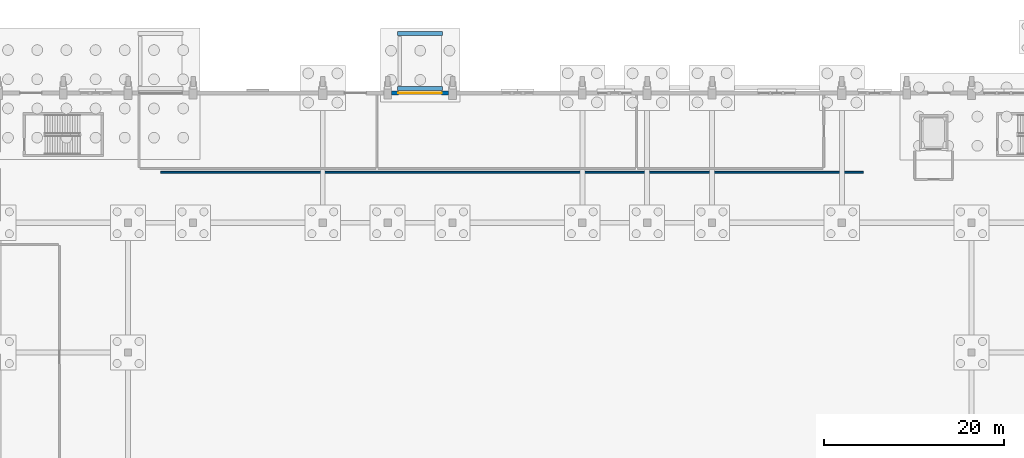
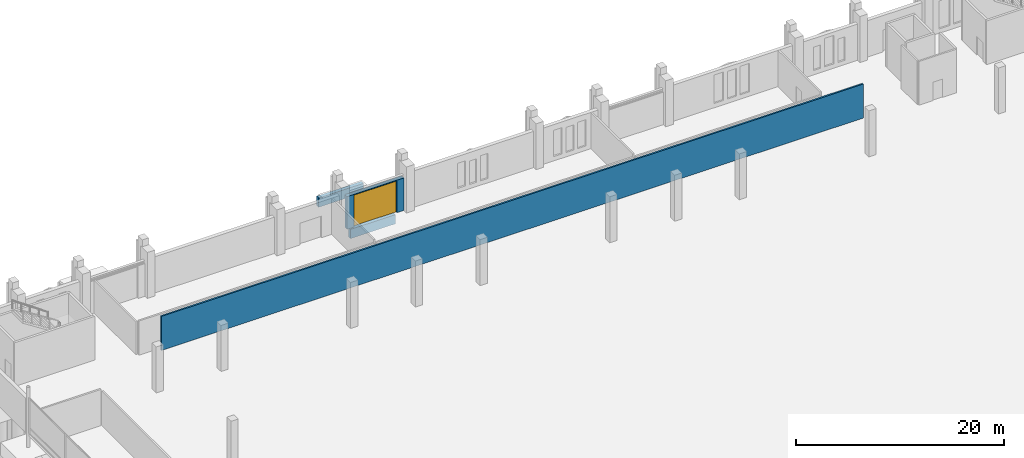
# One storey, part 150 of 192: 4 walls, 1 door, 1 opening.
"""IFC4 building model written with IfcOpenShell, lengths in metres."""

from ifc_helpers import new_model, si_unit, direction, frame, frame_2d, origin, place, context, subcontext, project, spatial, rectangle, extrude, material, layer, layer_set, type_object, element, fill, save


model = new_model("IFC4")

# Units and contexts
model_context = context("Model", 3, precision=1e-05, world=origin(), true_north=direction((0.0, 1.0)))
body_context = subcontext(model_context, "Body", "Model", "MODEL_VIEW")
ifc_project = project(units=[si_unit("LENGTHUNIT", "METRE"), si_unit("AREAUNIT", "SQUARE_METRE"), si_unit("VOLUMEUNIT", "CUBIC_METRE"), si_unit("PLANEANGLEUNIT", "RADIAN"), si_unit("MASSUNIT", "GRAM", prefix="KILO")], contexts=[model_context])

# Site, building, storey
site_placement = place(None, origin())
site = spatial("IfcSite", under=ifc_project, at=site_placement, CompositionType="ELEMENT")
building_placement = place(site_placement, origin())
building = spatial("IfcBuilding", under=site, at=building_placement, Name="Cendralis Lancet Convention Centre", CompositionType="ELEMENT")
storey_placement = place(building_placement, origin())
storey = spatial("IfcBuildingStorey", under=building, at=storey_placement, Name="L00", CompositionType="ELEMENT", Elevation=0.0)

# Wall, opening, door
ifc_material_1 = material(Name="Buff sandstone ashlar and Concrete G40 (C40/50)", Category="masonry")
ifc_layer_1 = layer(ifc_material_1, 0.419921875, Name="Buff sandstone ashlar and Concrete G40 (C40/50)")
ifc_layer_set_1 = layer_set([ifc_layer_1], Name="Buff sandstone ashlar and Concrete G40 (C40/50)")
wall_type_1 = type_object("IfcWallType", Name="ARC-EW-W420", PredefinedType="STANDARD", material=ifc_layer_set_1)
wall_1_placement = place(storey_placement, frame((43.633056640625, 136.800048828125, 0.0), z_axis=(0.0, 0.0, 1.0), x_axis=(1.0, 0.0, 0.0)))
wall_1 = element("IfcWall", 1, at=wall_1_placement, inside=storey, type_object=wall_type_1, Name="L00 V1 Exterior Wall EW-01 #0006", PredefinedType="STANDARD", context=body_context, shape_type="SweptSolid", body=[
    extrude(rectangle(XDim=6.308837890625, YDim=0.419921875, at=frame_2d((3.154296875, 0.0))), origin(), (0.0, 0.0, 1.0), 3.8349609375),
])
opening_placement = place(wall_1_placement, frame((0.75439453125, 0.0, 0.0)))
opening = element("IfcOpeningElement", 2, at=opening_placement, cuts=wall_1, Name="Opening SH-48", PredefinedType="OPENING", context=body_context, shape_type="SweptSolid", body=[
    extrude(rectangle(XDim=4.800048828125, YDim=3.75, at=frame_2d((2.39990234375, 1.875))), frame((0.0, 0.219970703125, 0.0), z_axis=(0.0, -1.0, 0.0), x_axis=(1.0, 0.0, 0.0)), (0.0, 0.0, 1.0), 0.43994140625),
])
ifc_material_2 = material(Name="Steel S355", Category="steel")
door_type = type_object("IfcDoorType", Name="ARC-DR-SH48", OperationType="ROLLINGUP", PredefinedType="USERDEFINED", material=ifc_material_2)
door_placement = place(opening_placement, origin())
door = element("IfcDoor", 3, at=door_placement, inside=storey, type_object=door_type, Name="L00-D011 Service Shutter #011", ObjectType="SHUTTER", OperationType="ROLLINGUP", OverallHeight=3.75, OverallWidth=4.800048828125, PredefinedType="USERDEFINED", context=body_context, shape_type="SweptSolid", body=[
    extrude(rectangle(XDim=4.800048828125, YDim=3.75, at=frame_2d((2.39990234375, 1.875))), frame((0.0, 0.02490234375, 0.0), z_axis=(0.0, -1.0, 0.0), x_axis=(1.0, 0.0, 0.0)), (0.0, 0.0, 1.0), 0.050048828125),
])
fill(opening, door)

# Walls
ifc_material_3 = material(Name="Acoustic fire-rated gypsum board on steel studs", Category="steel")
ifc_layer_2 = layer(ifc_material_3, 0.179931640625, Name="Acoustic fire-rated gypsum board on steel studs")
ifc_layer_set_2 = layer_set([ifc_layer_2], Name="Acoustic fire-rated gypsum board on steel studs")
wall_type_2 = type_object("IfcWallType", Name="ARC-IW-P180", PredefinedType="PARTITIONING", material=ifc_layer_set_2)
wall_2_placement = place(storey_placement, frame((18.0, 128.0, 0.0), z_axis=(0.0, 0.0, 1.0), x_axis=(1.0, 0.0, 0.0)))
element("IfcWall", 4, at=wall_2_placement, inside=storey, type_object=wall_type_2, Name="L00 Interior Partition IW-02 #0002", PredefinedType="PARTITIONING", context=body_context, shape_type="SweptSolid", body=[
    extrude(rectangle(XDim=78.0, YDim=0.179931640625, at=frame_2d((39.0, 0.0))), origin(), (0.0, 0.0, 1.0), 4.0048828125),
])
ifc_material_4 = material(Name="Concrete G35 (C35/45)", Category="concrete")
ifc_layer_3 = layer(ifc_material_4, 0.39990234375, Name="Concrete G35 (C35/45)")
ifc_layer_set_3 = layer_set([ifc_layer_3], Name="Concrete G35 (C35/45)")
wall_type_3 = type_object("IfcWallType", Name="STR-WL-RPSTEM", PredefinedType="SHEAR", material=ifc_layer_set_3)
wall_3_placement = place(storey_placement, frame((44.300048828125, 143.39990234375, -1.64990234375), z_axis=(0.0, 0.0, 1.0), x_axis=(1.0, 0.0, 0.0)))
element("IfcWall", 5, at=wall_3_placement, inside=storey, type_object=wall_type_3, Name="Ramp RP-06 Toe Stem Wall", PredefinedType="SHEAR", context=body_context, shape_type="SweptSolid", body=[
    extrude(rectangle(XDim=5.0, YDim=0.39990234375, at=frame_2d((2.5, 0.0))), origin(), (0.0, 0.0, 1.0), 1.06982421875),
])
wall_4_placement = place(storey_placement, frame((44.300048828125, 137.300048828125, -1.64990234375), z_axis=(0.0, 0.0, 1.0), x_axis=(1.0, 0.0, 0.0)))
element("IfcWall", 6, at=wall_4_placement, inside=storey, type_object=wall_type_3, Name="Ramp RP-06 Head Stem Wall", PredefinedType="SHEAR", context=body_context, shape_type="SweptSolid", body=[
    extrude(rectangle(XDim=5.0, YDim=0.39990234375, at=frame_2d((2.5, 0.0))), origin(), (0.0, 0.0, 1.0), 1.08984375),
])

save(model, "model.ifc")
